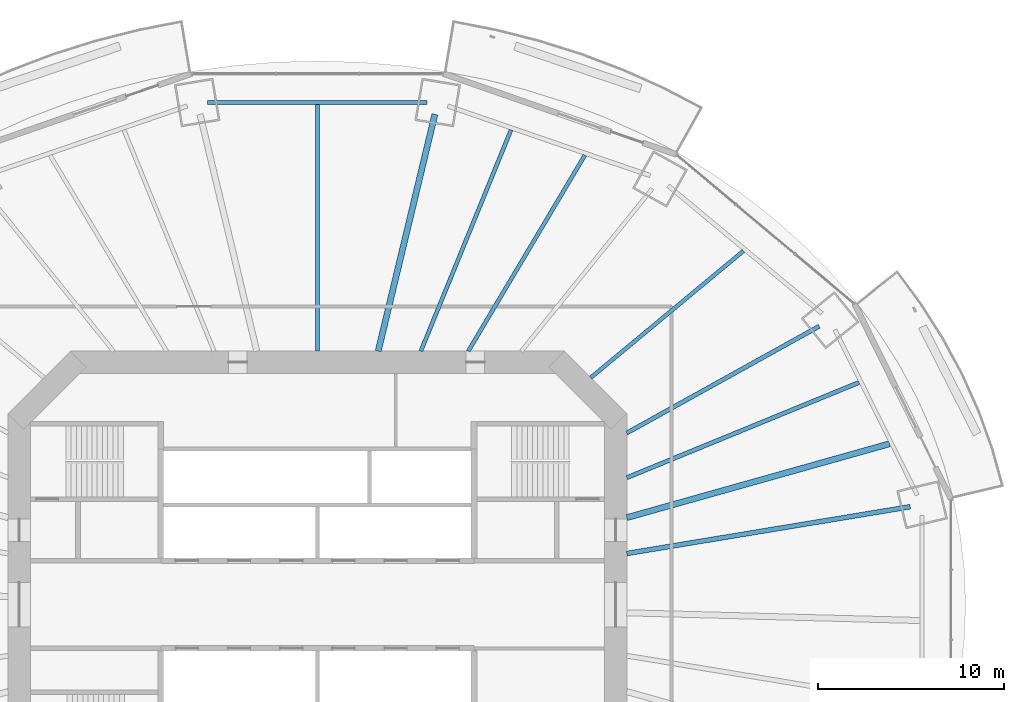
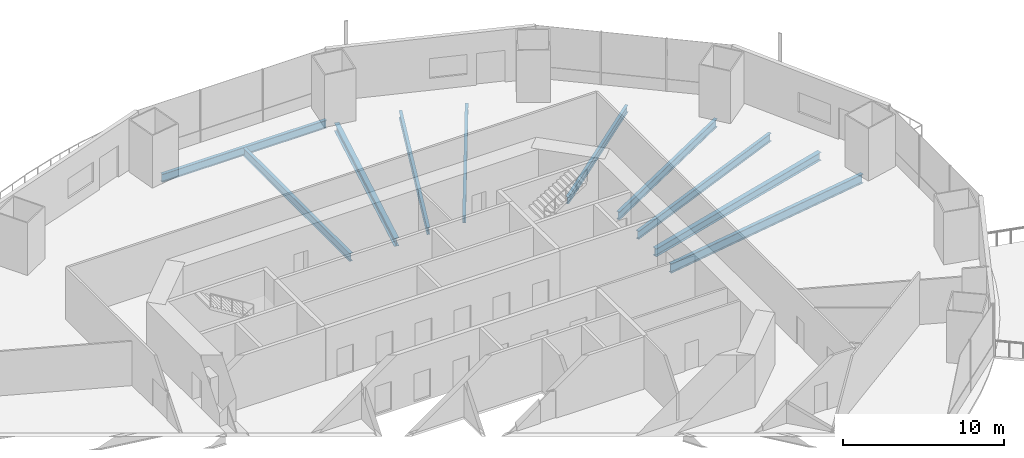
# One storey, part 8 of 22: 10 beams.
"""IFC4 building model written with IfcOpenShell, lengths in metres."""

from ifc_helpers import new_model, si_unit, direction, frame, origin, origin_2d, place, context, subcontext, project, spatial, i_section, extrude, material, material_profile, profile_set, type_object, element, save


model = new_model("IFC4")

# Units and contexts
model_context = context("Model", 3, precision=1e-05, world=origin(), true_north=direction((0.0, 1.0)))
body_context = subcontext(model_context, "Body", "Model", "MODEL_VIEW")
ifc_project = project(units=[si_unit("LENGTHUNIT", "METRE"), si_unit("AREAUNIT", "SQUARE_METRE"), si_unit("VOLUMEUNIT", "CUBIC_METRE"), si_unit("PLANEANGLEUNIT", "RADIAN"), si_unit("MASSUNIT", "GRAM", prefix="KILO")], contexts=[model_context])

# Site, building, storey
site_placement = place(None, origin())
site = spatial("IfcSite", under=ifc_project, at=site_placement, CompositionType="ELEMENT")
building_placement = place(site_placement, origin())
building = spatial("IfcBuilding", under=site, at=building_placement, Name="Marenthal Gate Tower", CompositionType="ELEMENT")
storey_placement = place(building_placement, frame((0.0, 0.0, 95.25)))
storey = spatial("IfcBuildingStorey", under=building, at=storey_placement, Name="L19", CompositionType="ELEMENT", Elevation=95.25)

# Beams
ifc_material_1 = material(Name="Steel S355", Category="steel")
ifc_material_profile_1 = material_profile(ifc_material_1, i_section(OverallWidth=0.2099609375, OverallDepth=0.535888671875, WebThickness=0.010986328125, FlangeThickness=0.017333984375, FilletRadius=0.0126953125, at=origin_2d()), Name="W530X101")
ifc_profile_set_1 = profile_set([ifc_material_profile_1], Name="Steel S355")
beam_type_1 = type_object("IfcBeamType", Name="W530X101 beam", PredefinedType="BEAM", material=ifc_profile_set_1)
beam_1_placement = place(storey_placement, frame((22.857666015625, 18.978759765625, -0.447998046875), z_axis=(-0.769368830907, -0.63880482311, 0.0), x_axis=(0.63880482311, -0.769368830907, 0.0)))
element("IfcBeam", 1, at=beam_1_placement, inside=storey, type_object=beam_type_1, Name="BM-L19-19", PredefinedType="BEAM", context=body_context, shape_type="SweptSolid", body=[
    extrude(i_section(OverallWidth=0.2099609375, OverallDepth=0.535888671875, WebThickness=0.010986328125, FlangeThickness=0.017333984375, FilletRadius=0.0126953125, at=origin_2d()), origin(), (0.0, 0.0, 1.0), 10.643310546875),
])
ifc_material_2 = material(Name="Steel S355", Category="steel")
ifc_material_profile_2 = material_profile(ifc_material_2, i_section(OverallWidth=0.2119140625, OverallDepth=0.5439453125, WebThickness=0.01318359375, FlangeThickness=0.021240234375, FilletRadius=0.0126953125, at=origin_2d()), Name="W530X123")
ifc_profile_set_2 = profile_set([ifc_material_profile_2], Name="Steel S355")
beam_type_2 = type_object("IfcBeamType", Name="W530X123 beam", PredefinedType="BEAM", material=ifc_profile_set_2)
beam_2_placement = place(storey_placement, frame((14.346923828125, 24.10986328125, -0.451904296875), z_axis=(-0.511368740727, -0.859361397206, 0.0), x_axis=(0.859361397206, -0.511368740727, 0.0)))
element("IfcBeam", 2, at=beam_2_placement, inside=storey, type_object=beam_type_2, Name="BM-L19-20", PredefinedType="BEAM", context=body_context, shape_type="SweptSolid", body=[
    extrude(i_section(OverallWidth=0.2119140625, OverallDepth=0.5439453125, WebThickness=0.01318359375, FlangeThickness=0.021240234375, FilletRadius=0.0126953125, at=origin_2d()), origin(), (0.0, 0.0, 1.0), 12.229736328125),
])
beam_3_placement = place(storey_placement, frame((10.3876953125, 25.4716796875, -0.451904296875), z_axis=(-0.377613822907, -0.925963174618, 0.0), x_axis=(0.925963174618, -0.377613822907, 0.0)))
element("IfcBeam", 3, at=beam_3_placement, inside=storey, type_object=beam_type_2, Name="BM-L19-21", PredefinedType="BEAM", context=body_context, shape_type="SweptSolid", body=[
    extrude(i_section(OverallWidth=0.2119140625, OverallDepth=0.5439453125, WebThickness=0.01318359375, FlangeThickness=0.021240234375, FilletRadius=0.0126953125, at=origin_2d()), origin(), (0.0, 0.0, 1.0), 12.82080078125),
])
ifc_material_3 = material(Name="Steel S355", Category="steel")
ifc_material_profile_3 = material_profile(ifc_material_3, i_section(OverallWidth=0.22900390625, OverallDepth=0.612060546875, WebThickness=0.011962890625, FlangeThickness=0.01953125, FilletRadius=0.0126953125, at=origin_2d()), Name="W610X125")
ifc_profile_set_3 = profile_set([ifc_material_profile_3], Name="Steel S355")
beam_type_3 = type_object("IfcBeamType", Name="W610X125 beam", PredefinedType="BEAM", material=ifc_profile_set_3)
beam_4_placement = place(storey_placement, frame((26.928466796875, 14.939697265625, -0.486083984375), z_axis=(-0.874435979354, -0.485140925929, 0.0), x_axis=(0.485140925929, -0.874435979354, 0.0)))
element("IfcBeam", 4, at=beam_4_placement, inside=storey, type_object=beam_type_3, Name="BM-L19-02", PredefinedType="BEAM", context=body_context, shape_type="SweptSolid", body=[
    extrude(i_section(OverallWidth=0.22900390625, OverallDepth=0.612060546875, WebThickness=0.011962890625, FlangeThickness=0.01953125, FilletRadius=0.0126953125, at=origin_2d()), origin(), (0.0, 0.0, 1.0), 11.8115234375),
])
beam_5_placement = place(storey_placement, frame((29.060302734375, 11.921630859375, -0.486083984375), z_axis=(-0.925176615925, -0.379536861642, 0.0), x_axis=(0.379536861642, -0.925176615925, 0.0)))
element("IfcBeam", 5, at=beam_5_placement, inside=storey, type_object=beam_type_3, Name="BM-L19-18", PredefinedType="BEAM", context=body_context, shape_type="SweptSolid", body=[
    extrude(i_section(OverallWidth=0.22900390625, OverallDepth=0.612060546875, WebThickness=0.011962890625, FlangeThickness=0.01953125, FilletRadius=0.0126953125, at=origin_2d()), origin(), (0.0, 0.0, 1.0), 13.468017578125),
])
beam_6_placement = place(storey_placement, frame((0.0, 26.83056640625, -0.486083984375), z_axis=(0.0, -1.0, 0.0), x_axis=(1.0, 0.0, 0.0)))
element("IfcBeam", 6, at=beam_6_placement, inside=storey, type_object=beam_type_3, Name="BM-L19-22", PredefinedType="BEAM", context=body_context, shape_type="SweptSolid", body=[
    extrude(i_section(OverallWidth=0.22900390625, OverallDepth=0.612060546875, WebThickness=0.011962890625, FlangeThickness=0.01953125, FilletRadius=0.0126953125, at=origin_2d()), origin(), (0.0, 0.0, 1.0), 13.23046875),
])
beam_7_placement = place(storey_placement, frame((5.890869140625, 26.945068359375, -0.486083984375), z_axis=(-1.0, 0.0, 0.0), x_axis=(0.0, -1.0, 0.0)))
element("IfcBeam", 7, at=beam_7_placement, inside=storey, type_object=beam_type_3, Name="BM-L19-44", PredefinedType="BEAM", context=body_context, shape_type="SweptSolid", body=[
    extrude(i_section(OverallWidth=0.22900390625, OverallDepth=0.612060546875, WebThickness=0.011962890625, FlangeThickness=0.01953125, FilletRadius=0.0126953125, at=origin_2d()), origin(), (0.0, 0.0, 1.0), 11.78173828125),
])
ifc_material_4 = material(Name="Steel S355", Category="steel")
ifc_material_profile_4 = material_profile(ifc_material_4, i_section(OverallWidth=0.324951171875, OverallDepth=0.612060546875, WebThickness=0.0126953125, FlangeThickness=0.01904296875, FilletRadius=0.0126953125, at=origin_2d()), Name="W610X155")
ifc_profile_set_4 = profile_set([ifc_material_profile_4], Name="Steel S355")
beam_type_4 = type_object("IfcBeamType", Name="W610X155 beam", PredefinedType="BEAM", material=ifc_profile_set_4)
beam_8_placement = place(storey_placement, frame((6.302978515625, 26.31005859375, -0.486083984375), z_axis=(-0.232977289633, -0.972482175937, 0.0), x_axis=(0.972482175937, -0.232977289633, 0.0)))
element("IfcBeam", 8, at=beam_8_placement, inside=storey, type_object=beam_type_4, Name="BM-L19-04", PredefinedType="BEAM", context=body_context, shape_type="SweptSolid", body=[
    extrude(i_section(OverallWidth=0.324951171875, OverallDepth=0.612060546875, WebThickness=0.0126953125, FlangeThickness=0.01904296875, FilletRadius=0.0126953125, at=origin_2d()), origin(), (0.0, 0.0, 1.0), 13.069580078125),
])
beam_9_placement = place(storey_placement, frame((30.701416015625, 8.631591796875, -0.486083984375), z_axis=(-0.962675778396, -0.270657247621, 0.0), x_axis=(0.270657247621, -0.962675778396, 0.0)))
element("IfcBeam", 9, at=beam_9_placement, inside=storey, type_object=beam_type_4, Name="BM-L19-17", PredefinedType="BEAM", context=body_context, shape_type="SweptSolid", body=[
    extrude(i_section(OverallWidth=0.324951171875, OverallDepth=0.612060546875, WebThickness=0.0126953125, FlangeThickness=0.01904296875, FilletRadius=0.0126953125, at=origin_2d()), origin(), (0.0, 0.0, 1.0), 14.64794921875),
])
ifc_material_5 = material(Name="Steel S355", Category="steel")
ifc_material_profile_5 = material_profile(ifc_material_5, i_section(OverallWidth=0.257080078125, OverallDepth=0.693115234375, WebThickness=0.014404296875, FlangeThickness=0.023681640625, FilletRadius=0.015380859375, at=origin_2d()), Name="W690X170")
ifc_profile_set_5 = profile_set([ifc_material_profile_5], Name="Steel S355")
beam_type_5 = type_object("IfcBeamType", Name="W690X170 beam", PredefinedType="BEAM", material=ifc_profile_set_5)
beam_10_placement = place(storey_placement, frame((31.80810546875, 5.25341796875, -0.526611328125), z_axis=(-0.986634295721, -0.162950196404, 0.0), x_axis=(0.162950196404, -0.986634295721, 0.0)))
element("IfcBeam", 10, at=beam_10_placement, inside=storey, type_object=beam_type_5, Name="BM-L19-01", PredefinedType="BEAM", context=body_context, shape_type="SweptSolid", body=[
    extrude(i_section(OverallWidth=0.257080078125, OverallDepth=0.693115234375, WebThickness=0.014404296875, FlangeThickness=0.023681640625, FilletRadius=0.015380859375, at=origin_2d()), origin(), (0.0, 0.0, 1.0), 15.4140625),
])

save(model, "model.ifc")
